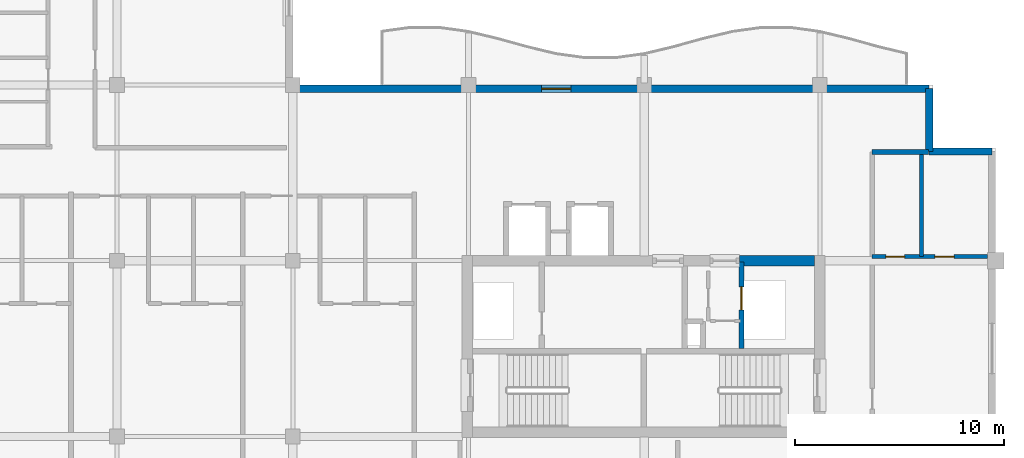
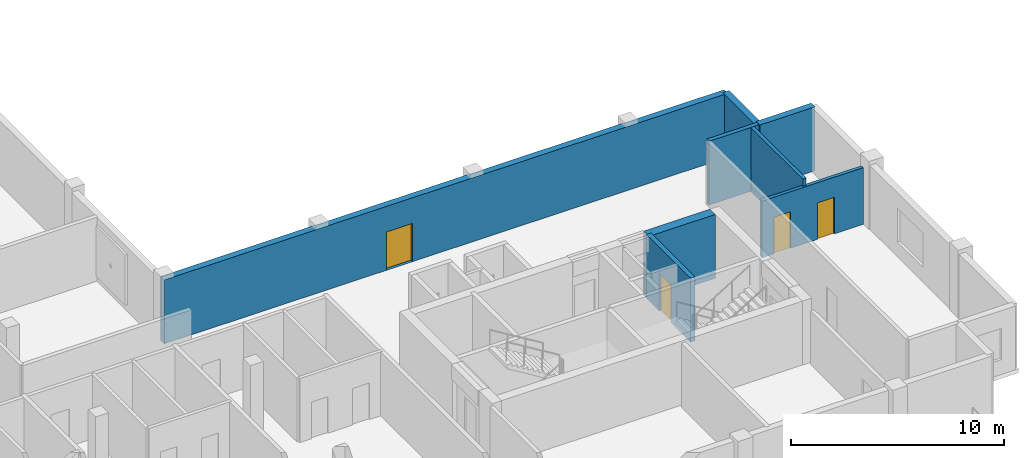
# One storey, part 5 of 11: 8 walls, 4 doors, 4 openings.
"""IFC4 building model written with IfcOpenShell, lengths in metres."""

from ifc_helpers import new_model, si_unit, direction, frame, frame_2d, origin, place, context, subcontext, project, spatial, rectangle, extrude, material, layer, layer_set, type_object, element, fill, save


model = new_model("IFC4")

# Units and contexts
model_context = context("Model", 3, precision=1e-05, world=origin(), true_north=direction((0.0, 1.0)))
body_context = subcontext(model_context, "Body", "Model", "MODEL_VIEW")
ifc_project = project(units=[si_unit("LENGTHUNIT", "METRE"), si_unit("AREAUNIT", "SQUARE_METRE"), si_unit("VOLUMEUNIT", "CUBIC_METRE"), si_unit("PLANEANGLEUNIT", "RADIAN"), si_unit("MASSUNIT", "GRAM", prefix="KILO")], contexts=[model_context])

# Site, building, storey
site_placement = place(None, origin())
site = spatial("IfcSite", under=ifc_project, at=site_placement, CompositionType="ELEMENT")
building_placement = place(site_placement, origin())
building = spatial("IfcBuilding", under=site, at=building_placement, Name="Koriwani Terraces Tower", CompositionType="ELEMENT")
storey_placement = place(building_placement, frame((0.0, 0.0, 320.300048828125)))
storey = spatial("IfcBuildingStorey", under=building, at=storey_placement, Name="L79", CompositionType="ELEMENT", Elevation=320.300048828125)

# Walls
ifc_material_1 = material(Name="Concrete C50/60", Category="concrete")
ifc_layer_1 = layer(ifc_material_1, 0.5, Name="Concrete C50/60")
ifc_layer_set_1 = layer_set([ifc_layer_1], Name="Concrete C50/60")
wall_type_1 = type_object("IfcWallType", Name="WALL_CORE_RC_500", PredefinedType="SHEAR", material=ifc_layer_set_1)
wall_1_placement = place(storey_placement, frame((54.949951171875, 25.199951171875, 0.0), z_axis=(0.0, 0.0, 1.0), x_axis=(1.0, 0.0, 0.0)))
element("IfcWall", 1, at=wall_1_placement, inside=storey, type_object=wall_type_1, Name="L79 East Split Core Shear Wall N3", PredefinedType="SHEAR", context=body_context, shape_type="SweptSolid", body=[
    extrude(rectangle(XDim=3.60009765625, YDim=0.5, at=frame_2d((1.800048828125, 0.0))), origin(), (0.0, 0.0, 1.0), 3.669921875),
])
ifc_material_2 = material(Name="Autoclaved Cellular Concrete Blockwork", Category="masonry")
ifc_layer_2 = layer(ifc_material_2, 0.219970703125, Name="Autoclaved Cellular Concrete Blockwork")
ifc_layer_set_2 = layer_set([ifc_layer_2], Name="Autoclaved Cellular Concrete Blockwork")
wall_type_2 = type_object("IfcWallType", Name="WALL_DEMISING_220", PredefinedType="PARTITIONING", material=ifc_layer_set_2)
wall_2_placement = place(storey_placement, frame((61.300048828125, 30.39990234375, 0.0), z_axis=(0.0, 0.0, 1.0), x_axis=(1.0, 0.0, 0.0)))
element("IfcWall", 2, at=wall_2_placement, inside=storey, type_object=wall_type_2, Name="L79 Interior Wall WET-N-L79", PredefinedType="PARTITIONING", context=body_context, shape_type="SweptSolid", body=[
    extrude(rectangle(XDim=2.699951171875, YDim=0.219970703125, at=frame_2d((1.35009765625, 0.0))), origin(), (0.0, 0.0, 1.0), 3.669921875),
])

# Wall, opening, door
ifc_layer_3 = layer(ifc_material_1, 0.35009765625, Name="Concrete C50/60")
ifc_layer_set_3 = layer_set([ifc_layer_3], Name="Concrete C50/60")
wall_type_3 = type_object("IfcWallType", Name="WALL_EXT_BRUTALIST_350", PredefinedType="STANDARD", material=ifc_layer_set_3)
wall_3_placement = place(storey_placement, frame((33.425048828125, 33.425048828125, 0.0), z_axis=(0.0, 0.0, 1.0), x_axis=(1.0, 0.0, 0.0)))
wall_3 = element("IfcWall", 3, at=wall_3_placement, inside=storey, type_object=wall_type_3, Name="L79 Fair-Faced Brutalist Exterior Wall (NE)", PredefinedType="STANDARD", context=body_context, shape_type="SweptSolid", body=[
    extrude(rectangle(XDim=30.599853515625, YDim=0.35009765625, at=frame_2d((15.2998046875, 0.0))), origin(), (0.0, 0.0, 1.0), 3.669921875),
])
opening_1_placement = place(wall_3_placement, frame((12.074951171875, 0.0, 0.0)))
opening_1 = element("IfcOpeningElement", 4, at=opening_1_placement, cuts=wall_3, Name="Opening D-09", PredefinedType="OPENING", context=body_context, shape_type="SweptSolid", body=[
    extrude(rectangle(XDim=1.39990234375, YDim=2.199951171875, at=frame_2d((0.699951171875, 1.10009765625))), frame((0.0, 0.18505859375, 0.0), z_axis=(0.0, -1.0, 0.0), x_axis=(1.0, 0.0, 0.0)), (0.0, 0.0, 1.0), 0.3701171875),
])
ifc_material_3 = material(Name="Anodised Bronze Aluminium", Category="aluminium")
door_type_1 = type_object("IfcDoorType", Name="DOOR_BALCONY_GLAZED_1400X2200", OperationType="NOTDEFINED", PredefinedType="DOOR", material=ifc_material_3)
door_1_placement = place(opening_1_placement, origin())
door_1 = element("IfcDoor", 5, at=door_1_placement, inside=storey, type_object=door_type_1, Name="L79 Inner Court Balcony Glazed Door", OperationType="SINGLE_SWING_LEFT", OverallHeight=2.199951171875, OverallWidth=1.39990234375, PredefinedType="DOOR", context=body_context, shape_type="SweptSolid", body=[
    extrude(rectangle(XDim=1.39990234375, YDim=2.199951171875, at=frame_2d((0.699951171875, 1.10009765625))), frame((0.0, 0.02490234375, 0.0), z_axis=(0.0, -1.0, 0.0), x_axis=(1.0, 0.0, 0.0)), (0.0, 0.0, 1.0), 0.050048828125),
])
fill(opening_1, door_1)

# Walls
for number, where, z_axis, x_axis, name in (
    (6, (64.02490234375, 33.425048828125, 0.0), (0.0, 0.0, 1.0), (0.0, -1.0, 0.0), "L79 Fair-Faced Brutalist Exterior Wall (N10)"),
    (7, (64.02490234375, 30.425048828125, 0.0), (0.0, 0.0, 1.0), (1.0, 0.0, 0.0), "L79 Fair-Faced Brutalist Exterior Wall (N11)"),
):
    element("IfcWall", number, at=place(storey_placement, frame(where, z_axis=z_axis, x_axis=x_axis)), inside=storey, type_object=wall_type_3, Name=name, PredefinedType="STANDARD", context=body_context, shape_type="SweptSolid", body=[
        extrude(rectangle(XDim=3.0, YDim=0.35009765625, at=frame_2d((1.5, 0.0))), origin(), (0.0, 0.0, 1.0), 3.669921875),
    ])

# Wall, openings, doors
ifc_material_4 = material(Name="Fire-Rated Acoustic Gypsum Partition", Category="masonry")
ifc_layer_4 = layer(ifc_material_4, 0.179931640625, Name="Fire-Rated Acoustic Gypsum Partition")
ifc_layer_set_4 = layer_set([ifc_layer_4], Name="Fire-Rated Acoustic Gypsum Partition")
wall_type_4 = type_object("IfcWallType", Name="WALL_PLUMBING_180", PredefinedType="PLUMBINGWALL", material=ifc_layer_set_4)
wall_4_placement = place(storey_placement, frame((61.300048828125, 25.39990234375, 0.0), z_axis=(0.0, 0.0, 1.0), x_axis=(1.0, 0.0, 0.0)))
wall_4 = element("IfcWall", 8, at=wall_4_placement, inside=storey, type_object=wall_type_4, Name="L79 Interior Wall WET-SVB-L79", PredefinedType="PLUMBINGWALL", context=body_context, shape_type="SweptSolid", body=[
    extrude(rectangle(XDim=5.5, YDim=0.179931640625, at=frame_2d((2.75, 0.0))), origin(), (0.0, 0.0, 1.0), 3.2529296875),
])
opening_2_placement = place(wall_4_placement, frame((0.64990234375, 0.0, 0.0)))
opening_2 = element("IfcOpeningElement", 9, at=opening_2_placement, cuts=wall_4, Name="Opening D-07", PredefinedType="OPENING", context=body_context, shape_type="SweptSolid", body=[
    extrude(rectangle(XDim=0.89990234375, YDim=2.10009765625, at=frame_2d((0.449951171875, 1.050048828125))), frame((0.0, 0.10009765625, 0.0), z_axis=(0.0, -1.0, 0.0), x_axis=(1.0, 0.0, 0.0)), (0.0, 0.0, 1.0), 0.199951171875),
])
opening_3_placement = place(wall_4_placement, frame((3.0, 0.0, 0.0)))
opening_3 = element("IfcOpeningElement", 10, at=opening_3_placement, cuts=wall_4, Name="Opening D-06", PredefinedType="OPENING", context=body_context, shape_type="SweptSolid", body=[
    extrude(rectangle(XDim=0.919921875, YDim=2.10009765625, at=frame_2d((0.4599609375, 1.050048828125))), frame((0.0, 0.10009765625, 0.0), z_axis=(0.0, -1.0, 0.0), x_axis=(1.0, 0.0, 0.0)), (0.0, 0.0, 1.0), 0.199951171875),
])
ifc_material_5 = material(Name="Architectural Oak Fire Door", Category="wood")
door_type_2 = type_object("IfcDoorType", Name="DOOR_BATH_INT_900X2100", OperationType="NOTDEFINED", PredefinedType="DOOR", material=ifc_material_5)
door_2_placement = place(opening_2_placement, origin())
door_2 = element("IfcDoor", 11, at=door_2_placement, inside=storey, type_object=door_type_2, Name="Apartment 79ET Bathroom Door", OperationType="SINGLE_SWING_LEFT", OverallHeight=2.10009765625, OverallWidth=0.89990234375, PredefinedType="DOOR", context=body_context, shape_type="SweptSolid", body=[
    extrude(rectangle(XDim=0.89990234375, YDim=2.10009765625, at=frame_2d((0.449951171875, 1.050048828125))), frame((0.0, 0.02490234375, 0.0), z_axis=(0.0, -1.0, 0.0), x_axis=(1.0, 0.0, 0.0)), (0.0, 0.0, 1.0), 0.050048828125),
])
fill(opening_2, door_2)
door_type_3 = type_object("IfcDoorType", Name="DOOR_ROOM_INT_920X2100", OperationType="NOTDEFINED", PredefinedType="DOOR", material=ifc_material_5)
door_3_placement = place(opening_3_placement, origin())
door_3 = element("IfcDoor", 12, at=door_3_placement, inside=storey, type_object=door_type_3, Name="Apartment 79ET Kitchen Door", OperationType="SINGLE_SWING_RIGHT", OverallHeight=2.10009765625, OverallWidth=0.919921875, PredefinedType="DOOR", context=body_context, shape_type="SweptSolid", body=[
    extrude(rectangle(XDim=0.919921875, YDim=2.10009765625, at=frame_2d((0.4599609375, 1.050048828125))), frame((0.0, 0.02490234375, 0.0), z_axis=(0.0, -1.0, 0.0), x_axis=(1.0, 0.0, 0.0)), (0.0, 0.0, 1.0), 0.050048828125),
])
fill(opening_3, door_3)

# Wall
wall_5_placement = place(storey_placement, frame((63.64990234375, 25.39990234375, 0.0), z_axis=(0.0, 0.0, 1.0), x_axis=(0.0, 1.0, 0.0)))
element("IfcWall", 13, at=wall_5_placement, inside=storey, type_object=wall_type_4, Name="L79 Interior Wall WET-SVCM-L79", PredefinedType="PLUMBINGWALL", context=body_context, shape_type="SweptSolid", body=[
    extrude(rectangle(XDim=5.0, YDim=0.179931640625, at=frame_2d((2.5, 0.0))), origin(), (0.0, 0.0, 1.0), 3.669921875),
])

# Wall, opening, door
ifc_material_6 = material(Name="Concrete C40/50", Category="concrete")
ifc_layer_5 = layer(ifc_material_6, 0.25, Name="Concrete C40/50")
ifc_layer_set_5 = layer_set([ifc_layer_5], Name="Concrete C40/50")
wall_type_5 = type_object("IfcWallType", Name="WALL_SHAFT_RATED_250", PredefinedType="SOLIDWALL", material=ifc_layer_set_5)
wall_6_placement = place(storey_placement, frame((55.050048828125, 21.0, 0.0), z_axis=(0.0, 0.0, 1.0), x_axis=(0.0, 1.0, 0.0)))
wall_6 = element("IfcWall", 14, at=wall_6_placement, inside=storey, type_object=wall_type_5, Name="L79 Interior Wall WIN-CE-L79-SE", PredefinedType="SOLIDWALL", context=body_context, shape_type="SweptSolid", body=[
    extrude(rectangle(XDim=4.14990234375, YDim=0.25, at=frame_2d((2.074951171875, 0.0))), origin(), (0.0, 0.0, 1.0), 3.669921875),
])
opening_4_placement = place(wall_6_placement, frame((1.85009765625, 0.0, 0.0)))
opening_4 = element("IfcOpeningElement", 15, at=opening_4_placement, cuts=wall_6, Name="Opening LD-01", PredefinedType="OPENING", context=body_context, shape_type="SweptSolid", body=[
    extrude(rectangle(XDim=1.10009765625, YDim=2.14990234375, at=frame_2d((0.550048828125, 1.074951171875))), frame((0.0, 0.135009765625, 0.0), z_axis=(0.0, -1.0, 0.0), x_axis=(1.0, 0.0, 0.0)), (0.0, 0.0, 1.0), 0.27001953125),
])
ifc_material_7 = material(Name="Steel ASTM A572 Grade 50", Category="steel")
door_type_4 = type_object("IfcDoorType", Name="DOOR_LIFT_LANDING_1100X2200", OperationType="NOTDEFINED", PredefinedType="DOOR", material=ifc_material_7)
door_4_placement = place(opening_4_placement, origin())
door_4 = element("IfcDoor", 16, at=door_4_placement, inside=storey, type_object=door_type_4, Name="L79 Goods Lift SE-02 Landing Door", OperationType="SLIDING_TO_LEFT", OverallHeight=2.14990234375, OverallWidth=1.10009765625, PredefinedType="DOOR", context=body_context, shape_type="SweptSolid", body=[
    extrude(rectangle(XDim=1.10009765625, YDim=2.14990234375, at=frame_2d((0.550048828125, 1.074951171875))), frame((0.0, 0.02490234375, 0.0), z_axis=(0.0, -1.0, 0.0), x_axis=(1.0, 0.0, 0.0)), (0.0, 0.0, 1.0), 0.050048828125),
])
fill(opening_4, door_4)

save(model, "model.ifc")
